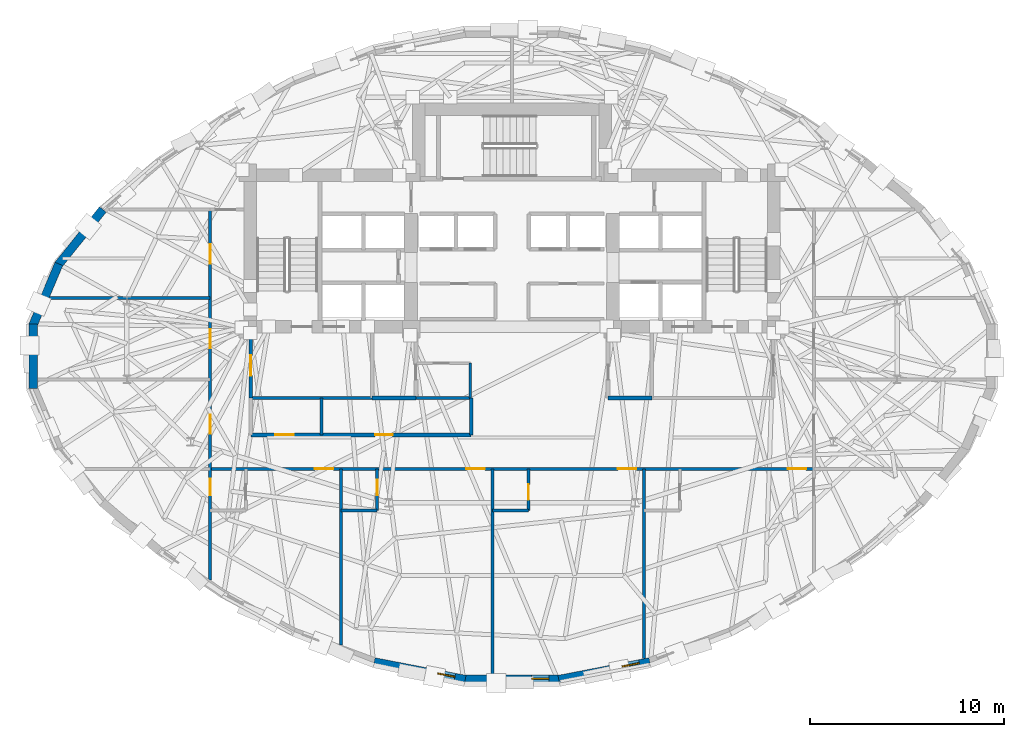
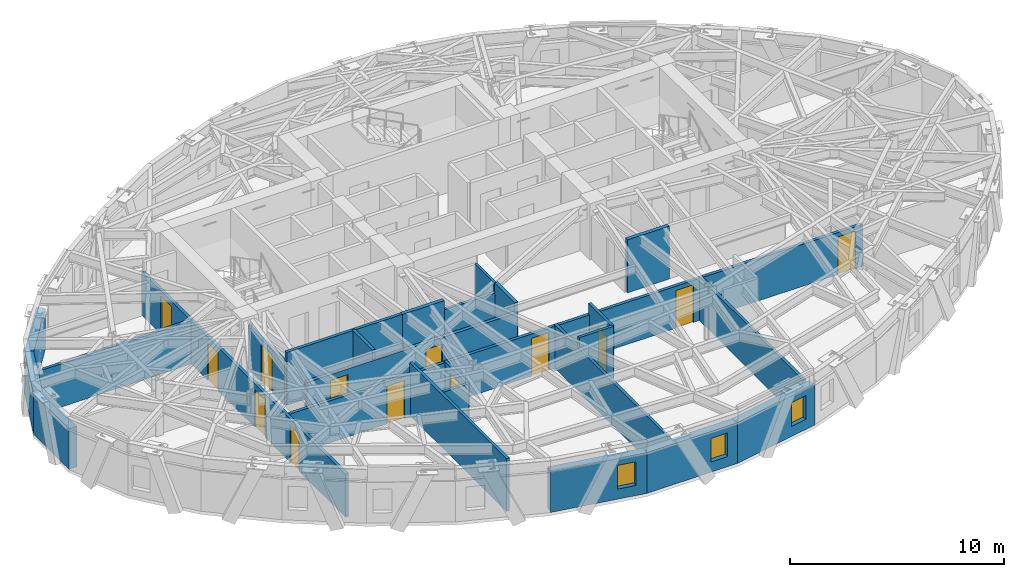
# One storey, part 6 of 14: 25 walls, 13 doors, 3 windows, 16 openings.
"""IFC4 building model written with IfcOpenShell, lengths in metres."""

from ifc_helpers import new_model, si_unit, direction, frame, frame_2d, origin, place, context, subcontext, project, spatial, rectangle, extrude, material, layer, layer_set, type_object, element, fill, save


model = new_model("IFC4")

# Units and contexts
model_context = context("Model", 3, precision=1e-05, world=origin(), true_north=direction((0.0, 1.0)))
body_context = subcontext(model_context, "Body", "Model", "MODEL_VIEW")
ifc_project = project(units=[si_unit("LENGTHUNIT", "METRE"), si_unit("AREAUNIT", "SQUARE_METRE"), si_unit("VOLUMEUNIT", "CUBIC_METRE"), si_unit("PLANEANGLEUNIT", "RADIAN"), si_unit("MASSUNIT", "GRAM", prefix="KILO")], contexts=[model_context])

# Site, building, storey
site_placement = place(None, origin())
site = spatial("IfcSite", under=ifc_project, at=site_placement, CompositionType="ELEMENT")
building_placement = place(site_placement, origin())
building = spatial("IfcBuilding", under=site, at=building_placement, Name="Keldmark Tower", CompositionType="ELEMENT")
storey_placement = place(building_placement, frame((0.0, 0.0, 179.0)))
storey = spatial("IfcBuildingStorey", under=building, at=storey_placement, Name="L49", CompositionType="ELEMENT", Elevation=179.0)

# Wall, openings, doors
ifc_material_1 = material(Name="Heavy Acoustic Plumbing Chase Gypsum Assembly", Category="gypsum")
ifc_layer_1 = layer(ifc_material_1, 0.18994140625)
ifc_layer_set_1 = layer_set([ifc_layer_1], Name="Heavy Acoustic Plumbing Chase Gypsum Assembly")
wall_type_1 = type_object("IfcWallType", Name="Heavy Wet Wall 190 mm", PredefinedType="PLUMBINGWALL", material=ifc_layer_set_1)
wall_1_placement = place(storey_placement, frame((-13.449951171875, -4.050048828125, 0.0), z_axis=(0.0, 0.0, 1.0), x_axis=(1.0, 0.0, 0.0)))
wall_1 = element("IfcWall", 1, at=wall_1_placement, inside=storey, type_object=wall_type_1, Name="L49 Heavy Wet Wall 190 mm SPK-W-S", PredefinedType="PLUMBINGWALL", context=body_context, shape_type="SweptSolid", body=[
    extrude(rectangle(XDim=11.349853515625, YDim=0.18994140625, at=frame_2d((5.6748046875, 0.0))), origin(), (0.0, 0.0, 1.0), 2.472900390625),
])
opening_1_placement = place(wall_1_placement, frame((1.25, 0.0, 0.0)))
opening_1 = element("IfcOpeningElement", 2, at=opening_1_placement, cuts=wall_1, Name="Opening D-AWC95", PredefinedType="OPENING", context=body_context, shape_type="SweptSolid", body=[
    extrude(rectangle(XDim=0.949951171875, YDim=2.14990234375, at=frame_2d((0.47509765625, 1.074951171875))), frame((0.0, 0.10498046875, 0.0), z_axis=(0.0, -1.0, 0.0), x_axis=(1.0, 0.0, 0.0)), (0.0, 0.0, 1.0), 0.2099609375),
])
opening_2_placement = place(wall_1_placement, frame((6.39990234375, 0.0, 0.0)))
opening_2 = element("IfcOpeningElement", 3, at=opening_2_placement, cuts=wall_1, Name="Opening D-IN090", PredefinedType="OPENING", context=body_context, shape_type="SweptSolid", body=[
    extrude(rectangle(XDim=0.89990234375, YDim=2.10009765625, at=frame_2d((0.449951171875, 1.050048828125))), frame((0.0, 0.10498046875, 0.0), z_axis=(0.0, -1.0, 0.0), x_axis=(1.0, 0.0, 0.0)), (0.0, 0.0, 1.0), 0.2099609375),
])
ifc_material_2 = material(Name="Painted Solid-Core Architectural Wood", Category="wood")
door_type_1 = type_object("IfcDoorType", Name="Accessible WC Door 950x2150", OperationType="NOTDEFINED", PredefinedType="DOOR", material=ifc_material_2)
door_1_placement = place(opening_1_placement, origin())
door_1 = element("IfcDoor", 4, at=door_1_placement, inside=storey, type_object=door_type_1, Name="L49 Accessible WC Door 950x2150 D-SPKW1-L49", OperationType="SINGLE_SWING_LEFT", OverallHeight=2.14990234375, OverallWidth=0.949951171875, PredefinedType="DOOR", context=body_context, shape_type="SweptSolid", body=[
    extrude(rectangle(XDim=0.949951171875, YDim=2.14990234375, at=frame_2d((0.47509765625, 1.074951171875))), frame((0.0, 0.02490234375, 0.0), z_axis=(0.0, -1.0, 0.0), x_axis=(1.0, 0.0, 0.0)), (0.0, 0.0, 1.0), 0.050048828125),
])
fill(opening_1, door_1)
ifc_material_3 = material(Name="Stained American White Oak Veneer", Category="wood")
door_type_2 = type_object("IfcDoorType", Name="Interior Door 900x2100", OperationType="NOTDEFINED", PredefinedType="DOOR", material=ifc_material_3)
door_2_placement = place(opening_2_placement, origin())
door_2 = element("IfcDoor", 5, at=door_2_placement, inside=storey, type_object=door_type_2, Name="L49 Interior Door 900x2100 D-SPKW2-L49", OperationType="SINGLE_SWING_RIGHT", OverallHeight=2.10009765625, OverallWidth=0.89990234375, PredefinedType="DOOR", context=body_context, shape_type="SweptSolid", body=[
    extrude(rectangle(XDim=0.89990234375, YDim=2.10009765625, at=frame_2d((0.449951171875, 1.050048828125))), frame((0.0, 0.02490234375, 0.0), z_axis=(0.0, -1.0, 0.0), x_axis=(1.0, 0.0, 0.0)), (0.0, 0.0, 1.0), 0.050048828125),
])
fill(opening_2, door_2)

# Walls
wall_2_placement = place(storey_placement, frame((-2.10009765625, -4.050048828125, 0.0), z_axis=(0.0, 0.0, 1.0), x_axis=(0.0, 1.0, 0.0)))
element("IfcWall", 6, at=wall_2_placement, inside=storey, type_object=wall_type_1, Name="L49 Heavy Wet Wall 190 mm SPK-W-E", PredefinedType="PLUMBINGWALL", context=body_context, shape_type="SweptSolid", body=[
    extrude(rectangle(XDim=1.900146484375, YDim=0.18994140625, at=frame_2d((0.9501953125, 0.0))), origin(), (0.0, 0.0, 1.0), 3.02001953125),
])
ifc_material_4 = material(Name="Acoustic Gypsum Board Interior Partition", Category="gypsum")
ifc_layer_2 = layer(ifc_material_4, 0.1298828125)
ifc_layer_set_2 = layer_set([ifc_layer_2], Name="Acoustic Gypsum Board Interior Partition")
wall_type_2 = type_object("IfcWallType", Name="Interior Partition 130 mm", PredefinedType="PARTITIONING", material=ifc_layer_set_2)
wall_3_placement = place(storey_placement, frame((-2.14990234375, -2.14990234375, 0.0), z_axis=(0.0, 0.0, 1.0), x_axis=(0.0, 1.0, 0.0)))
element("IfcWall", 7, at=wall_3_placement, inside=storey, type_object=wall_type_2, Name="L49 Interior Partition 130 mm CSC-W-E", PredefinedType="PARTITIONING", context=body_context, shape_type="SweptSolid", body=[
    extrude(rectangle(XDim=1.7998046875, YDim=0.1298828125, at=frame_2d((0.89990234375, 0.0))), origin(), (0.0, 0.0, 1.0), 3.02001953125),
])
ifc_material_5 = material(Name="Type X Fire-Rated Gypsum Partition Assembly", Category="gypsum")
ifc_layer_3 = layer(ifc_material_5, 0.1650390625)
ifc_layer_set_3 = layer_set([ifc_layer_3], Name="Type X Fire-Rated Gypsum Partition Assembly")
wall_type_3 = type_object("IfcWallType", Name="Rated Partition 165 mm", PredefinedType="PARTITIONING", material=ifc_layer_set_3)
wall_4_placement = place(storey_placement, frame((-13.449951171875, -2.14990234375, 0.0), z_axis=(0.0, 0.0, 1.0), x_axis=(1.0, 0.0, 0.0)))
element("IfcWall", 8, at=wall_4_placement, inside=storey, type_object=wall_type_3, Name="L49 Rated Partition 165 mm FSAE-W-S", PredefinedType="PARTITIONING", context=body_context, shape_type="SweptSolid", body=[
    extrude(rectangle(XDim=6.25, YDim=0.1650390625, at=frame_2d((3.125, 0.0))), origin(), (0.0, 0.0, 1.0), 3.02001953125),
])

# Wall, opening, door
wall_5_placement = place(storey_placement, frame((-13.449951171875, -2.14990234375, 0.0), z_axis=(0.0, 0.0, 1.0), x_axis=(0.0, 1.0, 0.0)))
wall_5 = element("IfcWall", 9, at=wall_5_placement, inside=storey, type_object=wall_type_3, Name="L49 Rated Partition 165 mm FSAE-W-W", PredefinedType="PARTITIONING", context=body_context, shape_type="SweptSolid", body=[
    extrude(rectangle(XDim=3.39990234375, YDim=0.1650390625, at=frame_2d((1.699951171875, 0.0))), origin(), (0.0, 0.0, 1.0), 2.472900390625),
])
opening_3_placement = place(wall_5_placement, frame((1.14990234375, 0.0, 0.0)))
opening_3 = element("IfcOpeningElement", 10, at=opening_3_placement, cuts=wall_5, Name="Opening D-FL105", PredefinedType="OPENING", context=body_context, shape_type="SweptSolid", body=[
    extrude(rectangle(XDim=1.050048828125, YDim=2.14990234375, at=frame_2d((0.52490234375, 1.074951171875))), frame((0.0, 0.092529296875, 0.0), z_axis=(0.0, -1.0, 0.0), x_axis=(1.0, 0.0, 0.0)), (0.0, 0.0, 1.0), 0.18505859375),
])
ifc_material_6 = material(Name="Fire-Rated Mineral-Core Door and Vision Lite", Category="metal")
door_type_3 = type_object("IfcDoorType", Name="Fire Lobby Door 1050x2150", OperationType="NOTDEFINED", PredefinedType="DOOR", material=ifc_material_6)
door_3_placement = place(opening_3_placement, origin())
door_3 = element("IfcDoor", 11, at=door_3_placement, inside=storey, type_object=door_type_3, Name="L49 Fire Lobby Door 1050x2150 D-FSAEW-OUT-L49", OperationType="SINGLE_SWING_LEFT", OverallHeight=2.14990234375, OverallWidth=1.050048828125, PredefinedType="DOOR", context=body_context, shape_type="SweptSolid", body=[
    extrude(rectangle(XDim=1.050048828125, YDim=2.14990234375, at=frame_2d((0.52490234375, 1.074951171875))), frame((0.0, 0.02490234375, 0.0), z_axis=(0.0, -1.0, 0.0), x_axis=(1.0, 0.0, 0.0)), (0.0, 0.0, 1.0), 0.050048828125),
])
fill(opening_3, door_3)

# Wall, openings, doors
wall_6_placement = place(storey_placement, frame((-15.550048828125, -5.800048828125, 0.0), z_axis=(0.0, 0.0, 1.0), x_axis=(1.0, 0.0, 0.0)))
wall_6 = element("IfcWall", 12, at=wall_6_placement, inside=storey, type_object=wall_type_3, Name="L49 Rated Partition 165 mm HCOR-S", PredefinedType="PARTITIONING", context=body_context, shape_type="SweptSolid", body=[
    extrude(rectangle(XDim=31.10009765625, YDim=0.1650390625, at=frame_2d((15.550048828125, 0.0))), origin(), (0.0, 0.0, 1.0), 2.39794921875),
])
opening_4_placement = place(wall_6_placement, frame((5.39990234375, 0.0, 0.0)))
opening_4 = element("IfcOpeningElement", 13, at=opening_4_placement, cuts=wall_6, Name="Opening D-HT095", PredefinedType="OPENING", context=body_context, shape_type="SweptSolid", body=[
    extrude(rectangle(XDim=0.949951171875, YDim=2.14990234375, at=frame_2d((0.47509765625, 1.074951171875))), frame((0.0, 0.092529296875, 0.0), z_axis=(0.0, -1.0, 0.0), x_axis=(1.0, 0.0, 0.0)), (0.0, 0.0, 1.0), 0.18505859375),
])
opening_5_placement = place(wall_6_placement, frame((13.199951171875, 0.0, 0.0)))
opening_5 = element("IfcOpeningElement", 14, at=opening_5_placement, cuts=wall_6, Name="Opening D-HT095", PredefinedType="OPENING", context=body_context, shape_type="SweptSolid", body=[
    extrude(rectangle(XDim=0.949951171875, YDim=2.14990234375, at=frame_2d((0.47509765625, 1.074951171875))), frame((0.0, 0.092529296875, 0.0), z_axis=(0.0, -1.0, 0.0), x_axis=(1.0, 0.0, 0.0)), (0.0, 0.0, 1.0), 0.18505859375),
])
opening_6_placement = place(wall_6_placement, frame((21.0, 0.0, 0.0)))
opening_6 = element("IfcOpeningElement", 15, at=opening_6_placement, cuts=wall_6, Name="Opening D-HT095", PredefinedType="OPENING", context=body_context, shape_type="SweptSolid", body=[
    extrude(rectangle(XDim=0.949951171875, YDim=2.14990234375, at=frame_2d((0.47509765625, 1.074951171875))), frame((0.0, 0.092529296875, 0.0), z_axis=(0.0, -1.0, 0.0), x_axis=(1.0, 0.0, 0.0)), (0.0, 0.0, 1.0), 0.18505859375),
])
opening_7_placement = place(wall_6_placement, frame((29.75, 0.0, 0.0)))
opening_7 = element("IfcOpeningElement", 16, at=opening_7_placement, cuts=wall_6, Name="Opening D-HT095", PredefinedType="OPENING", context=body_context, shape_type="SweptSolid", body=[
    extrude(rectangle(XDim=0.949951171875, YDim=2.14990234375, at=frame_2d((0.47509765625, 1.074951171875))), frame((0.0, 0.092529296875, 0.0), z_axis=(0.0, -1.0, 0.0), x_axis=(1.0, 0.0, 0.0)), (0.0, 0.0, 1.0), 0.18505859375),
])
ifc_material_7 = material(Name="Solid-Core Acoustic White Oak Fire-Rated Assembly", Category="wood")
door_type_4 = type_object("IfcDoorType", Name="Hotel Entry Door 950x2150", OperationType="NOTDEFINED", PredefinedType="DOOR", material=ifc_material_7)
door_4_placement = place(opening_4_placement, origin())
door_4 = element("IfcDoor", 17, at=door_4_placement, inside=storey, type_object=door_type_4, Name="L49 Hotel Entry Door 950x2150 D-HRS1-L49", OperationType="SINGLE_SWING_RIGHT", OverallHeight=2.14990234375, OverallWidth=0.949951171875, PredefinedType="DOOR", context=body_context, shape_type="SweptSolid", body=[
    extrude(rectangle(XDim=0.949951171875, YDim=2.14990234375, at=frame_2d((0.47509765625, 1.074951171875))), frame((0.0, 0.02490234375, 0.0), z_axis=(0.0, -1.0, 0.0), x_axis=(1.0, 0.0, 0.0)), (0.0, 0.0, 1.0), 0.050048828125),
])
fill(opening_4, door_4)
door_5_placement = place(opening_5_placement, origin())
door_5 = element("IfcDoor", 18, at=door_5_placement, inside=storey, type_object=door_type_4, Name="L49 Hotel Entry Door 950x2150 D-HRS2-L49", OperationType="SINGLE_SWING_LEFT", OverallHeight=2.14990234375, OverallWidth=0.949951171875, PredefinedType="DOOR", context=body_context, shape_type="SweptSolid", body=[
    extrude(rectangle(XDim=0.949951171875, YDim=2.14990234375, at=frame_2d((0.47509765625, 1.074951171875))), frame((0.0, 0.02490234375, 0.0), z_axis=(0.0, -1.0, 0.0), x_axis=(1.0, 0.0, 0.0)), (0.0, 0.0, 1.0), 0.050048828125),
])
fill(opening_5, door_5)
door_6_placement = place(opening_6_placement, origin())
door_6 = element("IfcDoor", 19, at=door_6_placement, inside=storey, type_object=door_type_4, Name="L49 Hotel Entry Door 950x2150 D-HRS3-L49", OperationType="SINGLE_SWING_RIGHT", OverallHeight=2.14990234375, OverallWidth=0.949951171875, PredefinedType="DOOR", context=body_context, shape_type="SweptSolid", body=[
    extrude(rectangle(XDim=0.949951171875, YDim=2.14990234375, at=frame_2d((0.47509765625, 1.074951171875))), frame((0.0, 0.02490234375, 0.0), z_axis=(0.0, -1.0, 0.0), x_axis=(1.0, 0.0, 0.0)), (0.0, 0.0, 1.0), 0.050048828125),
])
fill(opening_6, door_6)
door_7_placement = place(opening_7_placement, origin())
door_7 = element("IfcDoor", 20, at=door_7_placement, inside=storey, type_object=door_type_4, Name="L49 Hotel Entry Door 950x2150 D-HRS4-L49", OperationType="SINGLE_SWING_LEFT", OverallHeight=2.14990234375, OverallWidth=0.949951171875, PredefinedType="DOOR", context=body_context, shape_type="SweptSolid", body=[
    extrude(rectangle(XDim=0.949951171875, YDim=2.14990234375, at=frame_2d((0.47509765625, 1.074951171875))), frame((0.0, 0.02490234375, 0.0), z_axis=(0.0, -1.0, 0.0), x_axis=(1.0, 0.0, 0.0)), (0.0, 0.0, 1.0), 0.050048828125),
])
fill(opening_7, door_7)

wall_7_placement = place(storey_placement, frame((-15.550048828125, -11.51416015625, 0.0), z_axis=(0.0, 0.0, 1.0), x_axis=(0.0, 1.0, 0.0)))
wall_7 = element("IfcWall", 21, at=wall_7_placement, inside=storey, type_object=wall_type_3, Name="L49 Rated Partition 165 mm HCOR-W", PredefinedType="PARTITIONING", context=body_context, shape_type="SweptSolid", body=[
    extrude(rectangle(XDim=19.064208984375, YDim=0.1650390625, at=frame_2d((9.5322265625, 0.0))), origin(), (0.0, 0.0, 1.0), 2.472900390625),
])
opening_8_placement = place(wall_7_placement, frame((4.364501953125, 0.0, 0.0)))
opening_8 = element("IfcOpeningElement", 22, at=opening_8_placement, cuts=wall_7, Name="Opening D-IN085", PredefinedType="OPENING", context=body_context, shape_type="SweptSolid", body=[
    extrude(rectangle(XDim=0.85009765625, YDim=2.10009765625, at=frame_2d((0.425048828125, 1.050048828125))), frame((0.0, 0.092529296875, 0.0), z_axis=(0.0, -1.0, 0.0), x_axis=(1.0, 0.0, 0.0)), (0.0, 0.0, 1.0), 0.18505859375),
])
opening_9_placement = place(wall_7_placement, frame((7.5146484375, 0.0, 0.0)))
opening_9 = element("IfcOpeningElement", 23, at=opening_9_placement, cuts=wall_7, Name="Opening D-FD100", PredefinedType="OPENING", context=body_context, shape_type="SweptSolid", body=[
    extrude(rectangle(XDim=1.0, YDim=2.14990234375, at=frame_2d((0.5, 1.074951171875))), frame((0.0, 0.092529296875, 0.0), z_axis=(0.0, -1.0, 0.0), x_axis=(1.0, 0.0, 0.0)), (0.0, 0.0, 1.0), 0.18505859375),
])
opening_10_placement = place(wall_7_placement, frame((11.91455078125, 0.0, 0.0)))
opening_10 = element("IfcOpeningElement", 24, at=opening_10_placement, cuts=wall_7, Name="Opening D-FD100", PredefinedType="OPENING", context=body_context, shape_type="SweptSolid", body=[
    extrude(rectangle(XDim=1.0, YDim=2.14990234375, at=frame_2d((0.5, 1.074951171875))), frame((0.0, 0.092529296875, 0.0), z_axis=(0.0, -1.0, 0.0), x_axis=(1.0, 0.0, 0.0)), (0.0, 0.0, 1.0), 0.18505859375),
])
opening_11_placement = place(wall_7_placement, frame((16.28955078125, 0.0, 0.0)))
opening_11 = element("IfcOpeningElement", 25, at=opening_11_placement, cuts=wall_7, Name="Opening D-FD100", PredefinedType="OPENING", context=body_context, shape_type="SweptSolid", body=[
    extrude(rectangle(XDim=1.0, YDim=2.14990234375, at=frame_2d((0.5, 1.074951171875))), frame((0.0, 0.092529296875, 0.0), z_axis=(0.0, -1.0, 0.0), x_axis=(1.0, 0.0, 0.0)), (0.0, 0.0, 1.0), 0.18505859375),
])
ifc_material_8 = material(Name="Hollow Metal Fire-Rated Corridor Door", Category="metal")
door_type_5 = type_object("IfcDoorType", Name="Fire Door 1000x2150", OperationType="NOTDEFINED", PredefinedType="DOOR", material=ifc_material_8)
door_8_placement = place(opening_9_placement, origin())
door_8 = element("IfcDoor", 26, at=door_8_placement, inside=storey, type_object=door_type_5, Name="L49 Fire Door 1000x2150 D-HWSP-1-L49", OperationType="SINGLE_SWING_RIGHT", OverallHeight=2.14990234375, OverallWidth=1.0, PredefinedType="DOOR", context=body_context, shape_type="SweptSolid", body=[
    extrude(rectangle(XDim=1.0, YDim=2.14990234375, at=frame_2d((0.5, 1.074951171875))), frame((0.0, 0.02490234375, 0.0), z_axis=(0.0, -1.0, 0.0), x_axis=(1.0, 0.0, 0.0)), (0.0, 0.0, 1.0), 0.050048828125),
])
fill(opening_9, door_8)
door_9_placement = place(opening_10_placement, origin())
door_9 = element("IfcDoor", 27, at=door_9_placement, inside=storey, type_object=door_type_5, Name="L49 Fire Door 1000x2150 D-HWSP-2-L49", OperationType="SINGLE_SWING_LEFT", OverallHeight=2.14990234375, OverallWidth=1.0, PredefinedType="DOOR", context=body_context, shape_type="SweptSolid", body=[
    extrude(rectangle(XDim=1.0, YDim=2.14990234375, at=frame_2d((0.5, 1.074951171875))), frame((0.0, 0.02490234375, 0.0), z_axis=(0.0, -1.0, 0.0), x_axis=(1.0, 0.0, 0.0)), (0.0, 0.0, 1.0), 0.050048828125),
])
fill(opening_10, door_9)
door_10_placement = place(opening_11_placement, origin())
door_10 = element("IfcDoor", 28, at=door_10_placement, inside=storey, type_object=door_type_5, Name="L49 Fire Door 1000x2150 D-HWSP-3-L49", OperationType="SINGLE_SWING_LEFT", OverallHeight=2.14990234375, OverallWidth=1.0, PredefinedType="DOOR", context=body_context, shape_type="SweptSolid", body=[
    extrude(rectangle(XDim=1.0, YDim=2.14990234375, at=frame_2d((0.5, 1.074951171875))), frame((0.0, 0.02490234375, 0.0), z_axis=(0.0, -1.0, 0.0), x_axis=(1.0, 0.0, 0.0)), (0.0, 0.0, 1.0), 0.050048828125),
])
fill(opening_11, door_10)
ifc_material_9 = material(Name="Painted Architectural Wood", Category="wood")
door_type_6 = type_object("IfcDoorType", Name="Interior Door 850x2100", OperationType="NOTDEFINED", PredefinedType="DOOR", material=ifc_material_9)
door_11_placement = place(opening_8_placement, origin())
door_11 = element("IfcDoor", 29, at=door_11_placement, inside=storey, type_object=door_type_6, Name="L49 Interior Door 850x2100 D-HKSW-L49", OperationType="SINGLE_SWING_LEFT", OverallHeight=2.10009765625, OverallWidth=0.85009765625, PredefinedType="DOOR", context=body_context, shape_type="SweptSolid", body=[
    extrude(rectangle(XDim=0.85009765625, YDim=2.10009765625, at=frame_2d((0.425048828125, 1.050048828125))), frame((0.0, 0.02490234375, 0.0), z_axis=(0.0, -1.0, 0.0), x_axis=(1.0, 0.0, 0.0)), (0.0, 0.0, 1.0), 0.050048828125),
])
fill(opening_8, door_11)

# Walls
ifc_material_10 = material(Name="Fire-Resistant Type X Gypsum Shaftliner Coreboard", Category="gypsum")
ifc_layer_4 = layer(ifc_material_10, 0.199951171875)
ifc_layer_set_4 = layer_set([ifc_layer_4], Name="Fire-Resistant Type X Gypsum Shaftliner Coreboard")
wall_type_4 = type_object("IfcWallType", Name="Shaft Wall 200 mm", PredefinedType="SOLIDWALL", material=ifc_layer_set_4)
for number, where, z_axis, x_axis, name in (
    (30, (-7.199951171875, -2.14990234375, 0.0), (0.0, 0.0, 1.0), (1.0, 0.0, 0.0), "L49 Shaft Wall 200 mm RIS-SW-S"),
    (31, (4.949951171875, -2.14990234375, 0.0), (0.0, 0.0, 1.0), (1.0, 0.0, 0.0), "L49 Shaft Wall 200 mm RIS-SE-S"),
):
    element("IfcWall", number, at=place(storey_placement, frame(where, z_axis=z_axis, x_axis=x_axis)), inside=storey, type_object=wall_type_4, Name=name, PredefinedType="SOLIDWALL", context=body_context, shape_type="SweptSolid", body=[
        extrude(rectangle(XDim=2.25, YDim=0.199951171875, at=frame_2d((1.125, 0.0))), origin(), (0.0, 0.0, 1.0), 3.02001953125),
    ])
ifc_material_11 = material(Name="Ironspot Manganese Brick and Kasota Buff Limestone Spandrel Assembly", Category="masonry")
ifc_layer_5 = layer(ifc_material_11, 0.43994140625)
ifc_layer_set_5 = layer_set([ifc_layer_5], Name="Ironspot Manganese Brick and Kasota Buff Limestone Spandrel Assembly")
wall_type_5 = type_object("IfcWallType", Name="Tower Brick Pier and Spandrel Wall 440 mm", PredefinedType="STANDARD", material=ifc_layer_set_5)
wall_8_placement = place(storey_placement, frame((-23.36669921875, 4.702392578125, 0.0), z_axis=(0.0, 0.0, 1.0), x_axis=(0.626642586146, 0.779306787618, 0.0)))
element("IfcWall", 32, at=wall_8_placement, inside=storey, type_object=wall_type_5, Name="L49 Exterior Brick and Spandrel Wall 14", PredefinedType="STANDARD", context=body_context, shape_type="SweptSolid", body=[
    extrude(rectangle(XDim=3.665283203125, YDim=0.43994140625, at=frame_2d((1.83251953125, 0.0))), origin(), (0.0, 0.0, 1.0), 2.31494140625),
])
wall_9_placement = place(storey_placement, frame((-24.67529296875, 1.57568359375, 0.0), z_axis=(0.0, 0.0, 1.0), x_axis=(0.388360687569, 0.9215074478, 0.0)))
element("IfcWall", 33, at=wall_9_placement, inside=storey, type_object=wall_type_5, Name="L49 Exterior Brick and Spandrel Wall 15", PredefinedType="STANDARD", context=body_context, shape_type="SweptSolid", body=[
    extrude(rectangle(XDim=3.449951171875, YDim=0.43994140625, at=frame_2d((1.72509765625, 0.0))), origin(), (0.0, 0.0, 1.0), 2.31494140625),
])
wall_10_placement = place(storey_placement, frame((-24.657958984375, -1.6611328125, 0.0), z_axis=(0.0, 0.0, 1.0), x_axis=(0.0, 1.0, 0.0)))
element("IfcWall", 34, at=wall_10_placement, inside=storey, type_object=wall_type_5, Name="L49 Exterior Brick and Spandrel Wall 16", PredefinedType="STANDARD", context=body_context, shape_type="SweptSolid", body=[
    extrude(rectangle(XDim=3.322265625, YDim=0.43994140625, at=frame_2d((1.6611328125, 0.0))), origin(), (0.0, 0.0, 1.0), 2.31494140625),
])

# Wall, opening, window
wall_11_placement = place(storey_placement, frame((-2.408447265625, -16.649169921875, 0.0), z_axis=(0.0, 0.0, 1.0), x_axis=(-0.981751851942, 0.190166509166, 0.0)))
wall_11 = element("IfcWall", 35, at=wall_11_placement, inside=storey, type_object=wall_type_5, Name="L49 Exterior Brick and Spandrel Wall 23", PredefinedType="STANDARD", context=body_context, shape_type="SweptSolid", body=[
    extrude(rectangle(XDim=4.777099609375, YDim=0.43994140625, at=frame_2d((2.388671875, 0.0))), origin(), (0.0, 0.0, 1.0), 2.31494140625),
])
opening_12_placement = place(wall_11_placement, frame((0.547607421875, 0.0, 0.580078125)))
opening_12 = element("IfcOpeningElement", 36, at=opening_12_placement, cuts=wall_11, Name="Opening W-09", PredefinedType="OPENING", context=body_context, shape_type="SweptSolid", body=[
    extrude(rectangle(XDim=0.89990234375, YDim=1.35009765625, at=frame_2d((0.449951171875, 0.675048828125))), frame((0.0, 0.22998046875, 0.0), z_axis=(0.0, -1.0, 0.0), x_axis=(1.0, 0.0, 0.0)), (0.0, 0.0, 1.0), 0.4599609375),
])
ifc_material_12 = material(Name="Thermally Broken Anodized Aluminum and Triple Low-E Argon Glazing", Category="aluminium")
window_type = type_object("IfcWindowType", Name="Corner Pier Deep-Set Window 900x1350", PartitioningType="SINGLE_PANEL", PredefinedType="WINDOW", material=ifc_material_12)
window_1_placement = place(opening_12_placement, origin())
window_1 = element("IfcWindow", 37, at=window_1_placement, inside=storey, type_object=window_type, Name="L49 Deep-Set Window 23", OverallHeight=1.35009765625, OverallWidth=0.89990234375, PartitioningType="SINGLE_PANEL", PredefinedType="WINDOW", context=body_context, shape_type="SweptSolid", body=[
    extrude(rectangle(XDim=0.89990234375, YDim=1.35009765625, at=frame_2d((0.449951171875, 0.675048828125))), frame((0.0, -0.010009765625, 0.0), z_axis=(0.0, -1.0, 0.0), x_axis=(1.0, 0.0, 0.0)), (0.0, 0.0, 1.0), 0.06005859375),
])
fill(opening_12, window_1)

wall_12_placement = place(storey_placement, frame((2.4501953125, -16.64501953125, 0.0), z_axis=(0.0, 0.0, 1.0), x_axis=(-1.0, 0.0, 0.0)))
wall_12 = element("IfcWall", 38, at=wall_12_placement, inside=storey, type_object=wall_type_5, Name="L49 Exterior Brick and Spandrel Wall 24", PredefinedType="STANDARD", context=body_context, shape_type="SweptSolid", body=[
    extrude(rectangle(XDim=4.900390625, YDim=0.43994140625, at=frame_2d((2.4501953125, 0.0))), origin(), (0.0, 0.0, 1.0), 2.31494140625),
])
opening_13_placement = place(wall_12_placement, frame((0.54541015625, 0.0, 0.580078125)))
opening_13 = element("IfcOpeningElement", 39, at=opening_13_placement, cuts=wall_12, Name="Opening W-09", PredefinedType="OPENING", context=body_context, shape_type="SweptSolid", body=[
    extrude(rectangle(XDim=0.89990234375, YDim=1.35009765625, at=frame_2d((0.449951171875, 0.675048828125))), frame((0.0, 0.22998046875, 0.0), z_axis=(0.0, -1.0, 0.0), x_axis=(1.0, 0.0, 0.0)), (0.0, 0.0, 1.0), 0.4599609375),
])
window_2_placement = place(opening_13_placement, origin())
window_2 = element("IfcWindow", 40, at=window_2_placement, inside=storey, type_object=window_type, Name="L49 Deep-Set Window 24", OverallHeight=1.35009765625, OverallWidth=0.89990234375, PartitioningType="SINGLE_PANEL", PredefinedType="WINDOW", context=body_context, shape_type="SweptSolid", body=[
    extrude(rectangle(XDim=0.89990234375, YDim=1.35009765625, at=frame_2d((0.449951171875, 0.675048828125))), frame((0.0, -0.010009765625, 0.0), z_axis=(0.0, -1.0, 0.0), x_axis=(1.0, 0.0, 0.0)), (0.0, 0.0, 1.0), 0.06005859375),
])
fill(opening_13, window_2)

wall_13_placement = place(storey_placement, frame((7.098388671875, -15.74072265625, 0.0), z_axis=(0.0, 0.0, 1.0), x_axis=(-0.981751851942, -0.190166509166, 0.0)))
wall_13 = element("IfcWall", 41, at=wall_13_placement, inside=storey, type_object=wall_type_5, Name="L49 Exterior Brick and Spandrel Wall 25", PredefinedType="STANDARD", context=body_context, shape_type="SweptSolid", body=[
    extrude(rectangle(XDim=4.777099609375, YDim=0.43994140625, at=frame_2d((2.388671875, 0.0))), origin(), (0.0, 0.0, 1.0), 2.31494140625),
])
opening_14_placement = place(wall_13_placement, frame((0.547607421875, 0.0, 0.580078125)))
opening_14 = element("IfcOpeningElement", 42, at=opening_14_placement, cuts=wall_13, Name="Opening W-09", PredefinedType="OPENING", context=body_context, shape_type="SweptSolid", body=[
    extrude(rectangle(XDim=0.89990234375, YDim=1.35009765625, at=frame_2d((0.449951171875, 0.675048828125))), frame((0.0, 0.22998046875, 0.0), z_axis=(0.0, -1.0, 0.0), x_axis=(1.0, 0.0, 0.0)), (0.0, 0.0, 1.0), 0.4599609375),
])
window_3_placement = place(opening_14_placement, origin())
window_3 = element("IfcWindow", 43, at=window_3_placement, inside=storey, type_object=window_type, Name="L49 Deep-Set Window 25", OverallHeight=1.35009765625, OverallWidth=0.89990234375, PartitioningType="SINGLE_PANEL", PredefinedType="WINDOW", context=body_context, shape_type="SweptSolid", body=[
    extrude(rectangle(XDim=0.89990234375, YDim=1.35009765625, at=frame_2d((0.449951171875, 0.675048828125))), frame((0.0, -0.010009765625, 0.0), z_axis=(0.0, -1.0, 0.0), x_axis=(1.0, 0.0, 0.0)), (0.0, 0.0, 1.0), 0.06005859375),
])
fill(opening_14, window_3)

# Walls
ifc_material_13 = material(Name="Moisture-Resistant Gypsum Plumbing Partition", Category="gypsum")
ifc_layer_6 = layer(ifc_material_13, 0.14990234375)
ifc_layer_set_6 = layer_set([ifc_layer_6], Name="Moisture-Resistant Gypsum Plumbing Partition")
wall_type_6 = type_object("IfcWallType", Name="Wet Wall 150 mm", PredefinedType="PLUMBINGWALL", material=ifc_layer_set_6)
wall_14_placement = place(storey_placement, frame((-4.949951171875, -2.14990234375, 0.0), z_axis=(0.0, 0.0, 1.0), x_axis=(1.0, 0.0, 0.0)))
element("IfcWall", 44, at=wall_14_placement, inside=storey, type_object=wall_type_6, Name="L49 Wet Wall 150 mm SPK-W-N", PredefinedType="PLUMBINGWALL", context=body_context, shape_type="SweptSolid", body=[
    extrude(rectangle(XDim=2.849853515625, YDim=0.14990234375, at=frame_2d((1.4248046875, 0.0))), origin(), (0.0, 0.0, 1.0), 2.472900390625),
])
wall_15_placement = place(storey_placement, frame((-9.800048828125, -4.050048828125, 0.0), z_axis=(0.0, 0.0, 1.0), x_axis=(0.0, 1.0, 0.0)))
element("IfcWall", 45, at=wall_15_placement, inside=storey, type_object=wall_type_6, Name="L49 Wet Wall 150 mm SPK-W-D1", PredefinedType="PLUMBINGWALL", context=body_context, shape_type="SweptSolid", body=[
    extrude(rectangle(XDim=1.900146484375, YDim=0.14990234375, at=frame_2d((0.9501953125, 0.0))), origin(), (0.0, 0.0, 1.0), 3.02001953125),
])
wall_16_placement = place(storey_placement, frame((-8.800048828125, -14.86572265625, 0.0), z_axis=(0.0, 0.0, 1.0), x_axis=(0.0, 1.0, 0.0)))
element("IfcWall", 46, at=wall_16_placement, inside=storey, type_object=wall_type_6, Name="L49 Wet Wall 150 mm HS-DIV-1", PredefinedType="PLUMBINGWALL", context=body_context, shape_type="SweptSolid", body=[
    extrude(rectangle(XDim=9.065673828125, YDim=0.14990234375, at=frame_2d((4.53271484375, 0.0))), origin(), (0.0, 0.0, 1.0), 3.02001953125),
])
wall_17_placement = place(storey_placement, frame((-1.0, -16.4169921875, 0.0), z_axis=(0.0, 0.0, 1.0), x_axis=(0.0, 1.0, 0.0)))
element("IfcWall", 47, at=wall_17_placement, inside=storey, type_object=wall_type_6, Name="L49 Wet Wall 150 mm HS-DIV-2", PredefinedType="PLUMBINGWALL", context=body_context, shape_type="SweptSolid", body=[
    extrude(rectangle(XDim=10.616943359375, YDim=0.14990234375, at=frame_2d((5.30859375, 0.0))), origin(), (0.0, 0.0, 1.0), 2.472900390625),
])
wall_18_placement = place(storey_placement, frame((6.800048828125, -15.56640625, 0.0), z_axis=(0.0, 0.0, 1.0), x_axis=(0.0, 1.0, 0.0)))
element("IfcWall", 48, at=wall_18_placement, inside=storey, type_object=wall_type_6, Name="L49 Wet Wall 150 mm HS-DIV-3", PredefinedType="PLUMBINGWALL", context=body_context, shape_type="SweptSolid", body=[
    extrude(rectangle(XDim=9.766357421875, YDim=0.14990234375, at=frame_2d((4.88330078125, 0.0))), origin(), (0.0, 0.0, 1.0), 2.472900390625),
])

# Wall, opening, door
wall_19_placement = place(storey_placement, frame((-6.949951171875, -7.949951171875, 0.0), z_axis=(0.0, 0.0, 1.0), x_axis=(0.0, 1.0, 0.0)))
wall_19 = element("IfcWall", 49, at=wall_19_placement, inside=storey, type_object=wall_type_6, Name="L49 Wet Wall 150 mm HB-S2-E", PredefinedType="PLUMBINGWALL", context=body_context, shape_type="SweptSolid", body=[
    extrude(rectangle(XDim=2.14990234375, YDim=0.14990234375, at=frame_2d((1.074951171875, 0.0))), origin(), (0.0, 0.0, 1.0), 2.472900390625),
])
opening_15_placement = place(wall_19_placement, frame((0.7900390625, 0.0, 0.0)))
opening_15 = element("IfcOpeningElement", 50, at=opening_15_placement, cuts=wall_19, Name="Opening D-BT080", PredefinedType="OPENING", context=body_context, shape_type="SweptSolid", body=[
    extrude(rectangle(XDim=0.800048828125, YDim=2.10009765625, at=frame_2d((0.39990234375, 1.050048828125))), frame((0.0, 0.0849609375, 0.0), z_axis=(0.0, -1.0, 0.0), x_axis=(1.0, 0.0, 0.0)), (0.0, 0.0, 1.0), 0.169921875),
])
ifc_material_14 = material(Name="Moisture-Sealed Stained Wood", Category="wood")
door_type_7 = type_object("IfcDoorType", Name="Bathroom Door 800x2100", OperationType="NOTDEFINED", PredefinedType="DOOR", material=ifc_material_14)
door_12_placement = place(opening_15_placement, origin())
door_12 = element("IfcDoor", 51, at=door_12_placement, inside=storey, type_object=door_type_7, Name="L49 Bathroom Door 800x2100 D-HBS2-L49", OperationType="SINGLE_SWING_RIGHT", OverallHeight=2.10009765625, OverallWidth=0.800048828125, PredefinedType="DOOR", context=body_context, shape_type="SweptSolid", body=[
    extrude(rectangle(XDim=0.800048828125, YDim=2.10009765625, at=frame_2d((0.39990234375, 1.050048828125))), frame((0.0, 0.02490234375, 0.0), z_axis=(0.0, -1.0, 0.0), x_axis=(1.0, 0.0, 0.0)), (0.0, 0.0, 1.0), 0.050048828125),
])
fill(opening_15, door_12)

# Wall
wall_20_placement = place(storey_placement, frame((-8.800048828125, -7.949951171875, 0.0), z_axis=(0.0, 0.0, 1.0), x_axis=(1.0, 0.0, 0.0)))
element("IfcWall", 52, at=wall_20_placement, inside=storey, type_object=wall_type_6, Name="L49 Wet Wall 150 mm HB-S2-S", PredefinedType="PLUMBINGWALL", context=body_context, shape_type="SweptSolid", body=[
    extrude(rectangle(XDim=1.85009765625, YDim=0.14990234375, at=frame_2d((0.925048828125, 0.0))), origin(), (0.0, 0.0, 1.0), 2.472900390625),
])

# Wall, opening, door
wall_21_placement = place(storey_placement, frame((0.85009765625, -7.949951171875, 0.0), z_axis=(0.0, 0.0, 1.0), x_axis=(0.0, 1.0, 0.0)))
wall_21 = element("IfcWall", 53, at=wall_21_placement, inside=storey, type_object=wall_type_6, Name="L49 Wet Wall 150 mm HB-S3-E", PredefinedType="PLUMBINGWALL", context=body_context, shape_type="SweptSolid", body=[
    extrude(rectangle(XDim=2.14990234375, YDim=0.14990234375, at=frame_2d((1.074951171875, 0.0))), origin(), (0.0, 0.0, 1.0), 3.02001953125),
])
opening_16_placement = place(wall_21_placement, frame((0.550048828125, 0.0, 0.0)))
opening_16 = element("IfcOpeningElement", 54, at=opening_16_placement, cuts=wall_21, Name="Opening D-BT080", PredefinedType="OPENING", context=body_context, shape_type="SweptSolid", body=[
    extrude(rectangle(XDim=0.800048828125, YDim=2.10009765625, at=frame_2d((0.39990234375, 1.050048828125))), frame((0.0, 0.0849609375, 0.0), z_axis=(0.0, -1.0, 0.0), x_axis=(1.0, 0.0, 0.0)), (0.0, 0.0, 1.0), 0.169921875),
])
door_13_placement = place(opening_16_placement, origin())
door_13 = element("IfcDoor", 55, at=door_13_placement, inside=storey, type_object=door_type_7, Name="L49 Bathroom Door 800x2100 D-HBS3-L49", OperationType="SINGLE_SWING_RIGHT", OverallHeight=2.10009765625, OverallWidth=0.800048828125, PredefinedType="DOOR", context=body_context, shape_type="SweptSolid", body=[
    extrude(rectangle(XDim=0.800048828125, YDim=2.10009765625, at=frame_2d((0.39990234375, 1.050048828125))), frame((0.0, 0.02490234375, 0.0), z_axis=(0.0, -1.0, 0.0), x_axis=(1.0, 0.0, 0.0)), (0.0, 0.0, 1.0), 0.050048828125),
])
fill(opening_16, door_13)

# Walls
wall_22_placement = place(storey_placement, frame((-1.0, -7.949951171875, 0.0), z_axis=(0.0, 0.0, 1.0), x_axis=(1.0, 0.0, 0.0)))
element("IfcWall", 56, at=wall_22_placement, inside=storey, type_object=wall_type_6, Name="L49 Wet Wall 150 mm HB-S3-S", PredefinedType="PLUMBINGWALL", context=body_context, shape_type="SweptSolid", body=[
    extrude(rectangle(XDim=1.85009765625, YDim=0.14990234375, at=frame_2d((0.925048828125, 0.0))), origin(), (0.0, 0.0, 1.0), 3.02001953125),
])
wall_23_placement = place(storey_placement, frame((-23.82763671875, 3.0, 0.0), z_axis=(0.0, 0.0, 1.0), x_axis=(1.0, 0.0, 0.0)))
element("IfcWall", 57, at=wall_23_placement, inside=storey, type_object=wall_type_6, Name="L49 Wet Wall 150 mm HW-DIV-2", PredefinedType="PLUMBINGWALL", context=body_context, shape_type="SweptSolid", body=[
    extrude(rectangle(XDim=8.277587890625, YDim=0.14990234375, at=frame_2d((4.138671875, 0.0))), origin(), (0.0, 0.0, 1.0), 2.472900390625),
])

save(model, "model.ifc")
